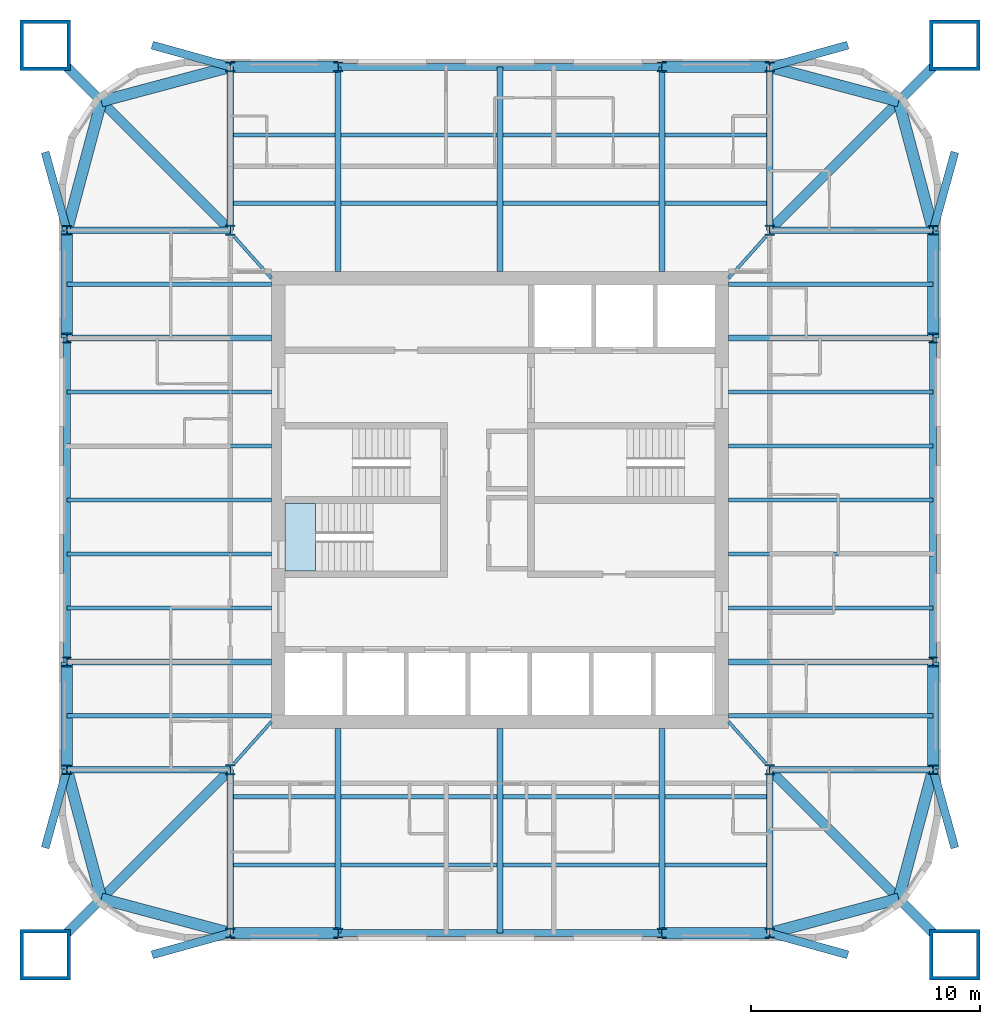
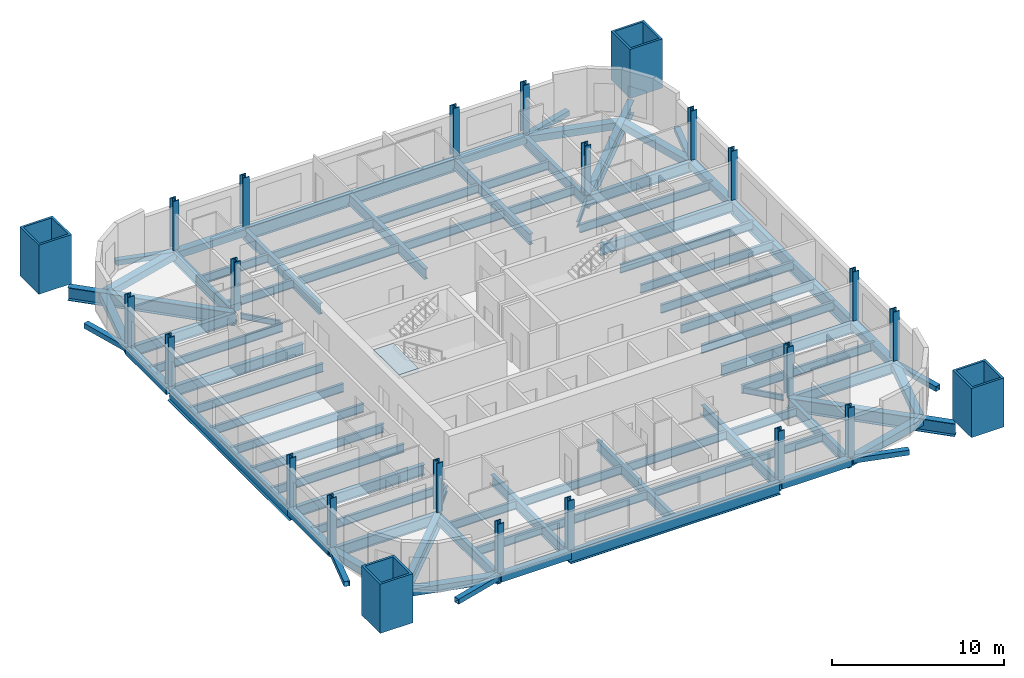
# One storey, part 1 of 8: 84 beams, 24 columns, 1 slab, 1 element without a shape of its own.
"""IFC4 building model written with IfcOpenShell, lengths in metres."""

from ifc_helpers import new_model, si_unit, direction, frame, origin, origin_2d, place, context, subcontext, project, spatial, polyline, hollow_rectangle, i_section, outline, extrude, material, layer, layer_set, material_profile, profile_set, type_object, element, aggregate, save


model = new_model("IFC4")

# Units and contexts
model_context = context("Model", 3, precision=1e-05, world=origin(), true_north=direction((0.0, 1.0)))
body_context = subcontext(model_context, "Body", "Model", "MODEL_VIEW")
ifc_project = project(units=[si_unit("LENGTHUNIT", "METRE"), si_unit("AREAUNIT", "SQUARE_METRE"), si_unit("VOLUMEUNIT", "CUBIC_METRE"), si_unit("PLANEANGLEUNIT", "RADIAN"), si_unit("MASSUNIT", "GRAM", prefix="KILO")], contexts=[model_context])

# Site, building, storey
site_placement = place(None, origin())
site = spatial("IfcSite", under=ifc_project, at=site_placement, CompositionType="ELEMENT")
building_placement = place(site_placement, origin())
building = spatial("IfcBuilding", under=site, at=building_placement, Name="Turquesa Mirador Hotel Tower", CompositionType="ELEMENT")
storey_placement = place(building_placement, frame((0.0, 0.0, 168.800048828125)))
storey = spatial("IfcBuildingStorey", under=building, at=storey_placement, Name="L45", CompositionType="ELEMENT", Elevation=168.800048828125)

# Columns
ifc_material_1 = material(Name="Steel ASTM A992 Grade 50", Category="steel")
ifc_material_profile_1 = material_profile(ifc_material_1, i_section(OverallWidth=0.411376953125, OverallDepth=0.434326171875, WebThickness=0.035888671875, FlangeThickness=0.057373046875, at=origin_2d()), Name="W14X311")
ifc_profile_set_1 = profile_set([ifc_material_profile_1], Name="Steel ASTM A992 Grade 50")
column_type_1 = type_object("IfcColumnType", Name="COLUMN W14X311", PredefinedType="COLUMN", material=ifc_profile_set_1)
for number, where, z_axis, x_axis, name in (
    (1, (36.050048828125, 33.199951171875, 0.0), (0.0, 0.0, 1.0), (1.0, 0.0, 0.0), "COL-L45-P--18.95--11.80"),
    (2, (36.050048828125, 37.919921875, 0.0), (0.0, 0.0, 1.0), (1.0, 0.0, 0.0), "COL-L45-P--18.95--7.08"),
    (3, (36.050048828125, 52.080078125, 0.0), (0.0, 0.0, 1.0), (1.0, 0.0, 0.0), "COL-L45-P--18.95-+7.08"),
    (4, (36.050048828125, 56.800048828125, 0.0), (0.0, 0.0, 1.0), (1.0, 0.0, 0.0), "COL-L45-P--18.95-+11.80"),
    (5, (43.199951171875, 26.050048828125, 0.0), (0.0, 0.0, 1.0), (1.0, 0.0, 0.0), "COL-L45-P--11.80--18.95"),
    (6, (43.199951171875, 63.949951171875, 0.0), (0.0, 0.0, 1.0), (1.0, 0.0, 0.0), "COL-L45-P--11.80-+18.95"),
    (7, (47.919921875, 26.050048828125, 0.0), (0.0, 0.0, 1.0), (1.0, 0.0, 0.0), "COL-L45-P--7.08--18.95"),
    (8, (47.919921875, 63.949951171875, 0.0), (0.0, 0.0, 1.0), (1.0, 0.0, 0.0), "COL-L45-P--7.08-+18.95"),
    (9, (62.080078125, 26.050048828125, 0.0), (0.0, 0.0, 1.0), (1.0, 0.0, 0.0), "COL-L45-P-+7.08--18.95"),
    (10, (62.080078125, 63.949951171875, 0.0), (0.0, 0.0, 1.0), (1.0, 0.0, 0.0), "COL-L45-P-+7.08-+18.95"),
    (11, (66.800048828125, 26.050048828125, 0.0), (0.0, 0.0, 1.0), (1.0, 0.0, 0.0), "COL-L45-P-+11.80--18.95"),
    (12, (66.800048828125, 63.949951171875, 0.0), (0.0, 0.0, 1.0), (1.0, 0.0, 0.0), "COL-L45-P-+11.80-+18.95"),
    (13, (73.949951171875, 33.199951171875, 0.0), (0.0, 0.0, 1.0), (1.0, 0.0, 0.0), "COL-L45-P-+18.95--11.80"),
    (14, (73.949951171875, 37.919921875, 0.0), (0.0, 0.0, 1.0), (1.0, 0.0, 0.0), "COL-L45-P-+18.95--7.08"),
    (15, (73.949951171875, 52.080078125, 0.0), (0.0, 0.0, 1.0), (1.0, 0.0, 0.0), "COL-L45-P-+18.95-+7.08"),
    (16, (73.949951171875, 56.800048828125, 0.0), (0.0, 0.0, 1.0), (1.0, 0.0, 0.0), "COL-L45-P-+18.95-+11.80"),
):
    element("IfcColumn", number, at=place(storey_placement, frame(where, z_axis=z_axis, x_axis=x_axis)), inside=storey, type_object=column_type_1, Name=name, PredefinedType="COLUMN", context=body_context, shape_type="SweptSolid", body=[
        extrude(i_section(OverallWidth=0.411376953125, OverallDepth=0.434326171875, WebThickness=0.035888671875, FlangeThickness=0.057373046875, at=origin_2d()), origin(), (0.0, 0.0, 1.0), 3.5),
    ])
ifc_material_2 = material(Name="Steel ASTM A992 Grade 50", Category="steel")
ifc_material_profile_2 = material_profile(ifc_material_2, i_section(OverallWidth=0.421630859375, OverallDepth=0.46484375, WebThickness=0.044921875, FlangeThickness=0.072509765625, at=origin_2d()), Name="W14X398")
ifc_profile_set_2 = profile_set([ifc_material_profile_2], Name="Steel ASTM A992 Grade 50")
column_type_2 = type_object("IfcColumnType", Name="COLUMN W14X398", PredefinedType="COLUMN", material=ifc_profile_set_2)
for number, where, z_axis, x_axis, name in (
    (17, (43.199951171875, 33.199951171875, 0.0), (0.0, 0.0, 1.0), (1.0, 0.0, 0.0), "COL-L45-K--11.80--11.80"),
    (18, (43.199951171875, 56.800048828125, 0.0), (0.0, 0.0, 1.0), (1.0, 0.0, 0.0), "COL-L45-K--11.80-+11.80"),
    (19, (66.800048828125, 33.199951171875, 0.0), (0.0, 0.0, 1.0), (1.0, 0.0, 0.0), "COL-L45-K-+11.80--11.80"),
    (20, (66.800048828125, 56.800048828125, 0.0), (0.0, 0.0, 1.0), (1.0, 0.0, 0.0), "COL-L45-K-+11.80-+11.80"),
):
    element("IfcColumn", number, at=place(storey_placement, frame(where, z_axis=z_axis, x_axis=x_axis)), inside=storey, type_object=column_type_2, Name=name, PredefinedType="COLUMN", context=body_context, shape_type="SweptSolid", body=[
        extrude(i_section(OverallWidth=0.421630859375, OverallDepth=0.46484375, WebThickness=0.044921875, FlangeThickness=0.072509765625, at=origin_2d()), origin(), (0.0, 0.0, 1.0), 3.5),
    ])
ifc_material_3 = material(Name="Steel ASTM A514 Grade Q", Category="steel")
ifc_material_profile_3 = material_profile(ifc_material_3, hollow_rectangle(XDim=2.199951171875, YDim=2.199951171875, WallThickness=0.14990234375, at=origin_2d()), Name="BOX2200X2200X150")
ifc_profile_set_3 = profile_set([ifc_material_profile_3], Name="Steel ASTM A514 Grade Q")
column_type_3 = type_object("IfcColumnType", Name="MEGA COLUMN BOX2200X2200X150", PredefinedType="COLUMN", material=ifc_profile_set_3)
for number, where, z_axis, x_axis, name in (
    (21, (74.89990234375, 64.89990234375, 0.0), (0.0, 0.0, 1.0), (1.0, 0.0, 0.0), "Mega column M1"),
    (22, (35.10009765625, 64.89990234375, 0.0), (0.0, 0.0, 1.0), (1.0, 0.0, 0.0), "Mega column M2"),
    (23, (35.10009765625, 25.10009765625, 0.0), (0.0, 0.0, 1.0), (1.0, 0.0, 0.0), "Mega column M3"),
    (24, (74.89990234375, 25.10009765625, 0.0), (0.0, 0.0, 1.0), (1.0, 0.0, 0.0), "Mega column M4"),
):
    element("IfcColumn", number, at=place(storey_placement, frame(where, z_axis=z_axis, x_axis=x_axis)), inside=storey, type_object=column_type_3, Name=name, PredefinedType="COLUMN", context=body_context, shape_type="SweptSolid", body=[
        extrude(hollow_rectangle(XDim=2.199951171875, YDim=2.199951171875, WallThickness=0.14990234375, at=origin_2d()), origin(), (0.0, 0.0, 1.0), 3.5),
    ])

# Beams
ifc_material_4 = material(Name="Steel ASTM A572 Grade 50", Category="steel")
ifc_material_profile_4 = material_profile(ifc_material_4, hollow_rectangle(XDim=0.5, YDim=0.5, WallThickness=0.01611328125, at=origin_2d()), Name="BOX500X500X16")
ifc_profile_set_4 = profile_set([ifc_material_profile_4], Name="Steel ASTM A572 Grade 50")
beam_type_1 = type_object("IfcBeamType", Name="BEAM BOX500X500X16", PredefinedType="BEAM", material=ifc_profile_set_4)
for number, where, z_axis, x_axis, name in (
    (25, (43.199951171875, 63.949951171875, -0.420166015625), (1.0, 0.0, 0.0), (0.0, 1.0, 0.0), "EB-L45-N-L"),
    (26, (62.080078125, 63.949951171875, -0.420166015625), (1.0, 0.0, 0.0), (0.0, 1.0, 0.0), "EB-L45-N-R"),
    (27, (43.199951171875, 26.050048828125, -0.420166015625), (1.0, 0.0, 0.0), (0.0, 1.0, 0.0), "EB-L45-S-L"),
    (28, (62.080078125, 26.050048828125, -0.420166015625), (1.0, 0.0, 0.0), (0.0, 1.0, 0.0), "EB-L45-S-R"),
    (29, (73.949951171875, 33.199951171875, -0.420166015625), (0.0, 1.0, 0.0), (-1.0, 0.0, 0.0), "EB-L45-E-L"),
    (30, (73.949951171875, 52.080078125, -0.420166015625), (0.0, 1.0, 0.0), (-1.0, 0.0, 0.0), "EB-L45-E-R"),
    (31, (36.050048828125, 33.199951171875, -0.420166015625), (0.0, 1.0, 0.0), (-1.0, 0.0, 0.0), "EB-L45-W-L"),
    (32, (36.050048828125, 52.080078125, -0.420166015625), (0.0, 1.0, 0.0), (-1.0, 0.0, 0.0), "EB-L45-W-R"),
):
    element("IfcBeam", number, at=place(storey_placement, frame(where, z_axis=z_axis, x_axis=x_axis)), inside=storey, type_object=beam_type_1, Name=name, PredefinedType="BEAM", context=body_context, shape_type="SweptSolid", body=[
        extrude(hollow_rectangle(XDim=0.5, YDim=0.5, WallThickness=0.01611328125, at=origin_2d()), origin(), (0.0, 0.0, 1.0), 4.719970703125),
    ])
for number, where, z_axis, x_axis, name in (
    (33, (73.949951171875, 56.800048828125, -0.420166015625), (-0.258281892145, 0.966069595935, 0.0), (-0.966069595935, -0.258281892145, 0.0), "KE-L45-1-0"),
    (34, (72.441650390625, 62.441650390625, -0.420166015625), (-0.966069595935, 0.258281892145, 0.0), (-0.258281892145, -0.966069595935, 0.0), "KE-L45-1-1"),
    (35, (36.050048828125, 56.800048828125, -0.420166015625), (0.258281892145, 0.966069595935, 0.0), (-0.966069595935, 0.258281892145, 0.0), "KE-L45-2-0"),
    (36, (37.558349609375, 62.441650390625, -0.420166015625), (0.966069595935, 0.258281892145, 0.0), (-0.258281892145, 0.966069595935, 0.0), "KE-L45-2-1"),
    (37, (36.050048828125, 33.199951171875, -0.420166015625), (0.258281892145, -0.966069595935, 0.0), (0.966069595935, 0.258281892145, 0.0), "KE-L45-3-0"),
    (38, (37.558349609375, 27.558349609375, -0.420166015625), (0.966069595935, -0.258281892145, 0.0), (0.258281892145, 0.966069595935, 0.0), "KE-L45-3-1"),
    (39, (73.949951171875, 33.199951171875, -0.420166015625), (-0.258281892145, -0.966069595935, 0.0), (0.966069595935, -0.258281892145, 0.0), "KE-L45-4-0"),
    (40, (72.441650390625, 27.558349609375, -0.420166015625), (-0.966069595935, -0.258281892145, 0.0), (0.258281892145, -0.966069595935, 0.0), "KE-L45-4-1"),
):
    element("IfcBeam", number, at=place(storey_placement, frame(where, z_axis=z_axis, x_axis=x_axis)), inside=storey, type_object=beam_type_1, Name=name, PredefinedType="BEAM", context=body_context, shape_type="SweptSolid", body=[
        extrude(hollow_rectangle(XDim=0.5, YDim=0.5, WallThickness=0.01611328125, at=origin_2d()), origin(), (0.0, 0.0, 1.0), 5.83984375),
    ])
ifc_material_5 = material(Name="Steel ASTM A992 Grade 50", Category="steel")
ifc_material_profile_5 = material_profile(ifc_material_5, i_section(OverallWidth=0.140380859375, OverallDepth=0.40380859375, WebThickness=0.007080078125, FlangeThickness=0.01123046875, at=origin_2d()), Name="W16X31")
ifc_profile_set_5 = profile_set([ifc_material_profile_5], Name="Steel ASTM A992 Grade 50")
beam_type_2 = type_object("IfcBeamType", Name="BEAM W16X31", PredefinedType="BEAM", material=ifc_profile_set_5)
for number, where, z_axis, x_axis, name in (
    (41, (66.634765625, 56.527099609375, -0.3720703125), (-0.666783216266, -0.745251730964, 0.0), (0.745251730964, -0.666783216266, 0.0), "KT-L45-1"),
    (42, (43.365234375, 56.527099609375, -0.3720703125), (0.666783216266, -0.745251730964, 0.0), (0.745251730964, 0.666783216266, 0.0), "KT-L45-2"),
    (43, (43.365234375, 33.472900390625, -0.3720703125), (0.666783216266, 0.745251730964, 0.0), (-0.745251730964, 0.666783216266, 0.0), "KT-L45-3"),
    (44, (66.634765625, 33.472900390625, -0.3720703125), (-0.666783216266, 0.745251730964, 0.0), (-0.745251730964, -0.666783216266, 0.0), "KT-L45-4"),
):
    element("IfcBeam", number, at=place(storey_placement, frame(where, z_axis=z_axis, x_axis=x_axis)), inside=storey, type_object=beam_type_2, Name=name, PredefinedType="BEAM", context=body_context, shape_type="SweptSolid", body=[
        extrude(i_section(OverallWidth=0.140380859375, OverallDepth=0.40380859375, WebThickness=0.007080078125, FlangeThickness=0.01123046875, at=origin_2d()), origin(), (0.0, 0.0, 1.0), 2.45166015625),
    ])
ifc_material_6 = material(Name="Steel ASTM A992 Grade 50", Category="steel")
ifc_material_profile_6 = material_profile(ifc_material_6, i_section(OverallWidth=0.177978515625, OverallDepth=0.599365234375, WebThickness=0.010009765625, FlangeThickness=0.012939453125, at=origin_2d()), Name="W24X55")
ifc_profile_set_6 = profile_set([ifc_material_profile_6], Name="Steel ASTM A992 Grade 50")
beam_type_3 = type_object("IfcBeamType", Name="BEAM W24X55", PredefinedType="BEAM", material=ifc_profile_set_6)
beam_1_placement = place(storey_placement, frame((43.333251953125, 57.98291015625, -0.4697265625), z_axis=(1.0, 0.0, 0.0), x_axis=(0.0, 1.0, 0.0)))
element("IfcBeam", 45, at=beam_1_placement, inside=storey, type_object=beam_type_3, Name="IB-L45-N-1-0", PredefinedType="BEAM", context=body_context, shape_type="SweptSolid", body=[
    extrude(i_section(OverallWidth=0.177978515625, OverallDepth=0.599365234375, WebThickness=0.010009765625, FlangeThickness=0.012939453125, at=origin_2d()), origin(), (0.0, 0.0, 1.0), 4.453369140625),
])
for number, where, z_axis, x_axis, name in (
    (46, (48.053466796875, 57.98291015625, -0.4697265625), (1.0, 0.0, 0.0), (0.0, 1.0, 0.0), "IB-L45-N-1-1"),
    (47, (55.13330078125, 57.98291015625, -0.4697265625), (1.0, 0.0, 0.0), (0.0, 1.0, 0.0), "IB-L45-N-1-2"),
):
    element("IfcBeam", number, at=place(storey_placement, frame(where, z_axis=z_axis, x_axis=x_axis)), inside=storey, type_object=beam_type_3, Name=name, PredefinedType="BEAM", context=body_context, shape_type="SweptSolid", body=[
        extrude(i_section(OverallWidth=0.177978515625, OverallDepth=0.599365234375, WebThickness=0.010009765625, FlangeThickness=0.012939453125, at=origin_2d()), origin(), (0.0, 0.0, 1.0), 6.813232421875),
    ])
for number, where, z_axis, x_axis, name in (
    (48, (62.21337890625, 57.98291015625, -0.4697265625), (1.0, 0.0, 0.0), (0.0, 1.0, 0.0), "IB-L45-N-1-3"),
    (49, (43.333251953125, 60.967041015625, -0.4697265625), (1.0, 0.0, 0.0), (0.0, 1.0, 0.0), "IB-L45-N-2-0"),
):
    element("IfcBeam", number, at=place(storey_placement, frame(where, z_axis=z_axis, x_axis=x_axis)), inside=storey, type_object=beam_type_3, Name=name, PredefinedType="BEAM", context=body_context, shape_type="SweptSolid", body=[
        extrude(i_section(OverallWidth=0.177978515625, OverallDepth=0.599365234375, WebThickness=0.010009765625, FlangeThickness=0.012939453125, at=origin_2d()), origin(), (0.0, 0.0, 1.0), 4.453369140625),
    ])
for number, where, z_axis, x_axis, name in (
    (50, (48.053466796875, 60.967041015625, -0.4697265625), (1.0, 0.0, 0.0), (0.0, 1.0, 0.0), "IB-L45-N-2-1"),
    (51, (55.13330078125, 60.967041015625, -0.4697265625), (1.0, 0.0, 0.0), (0.0, 1.0, 0.0), "IB-L45-N-2-2"),
):
    element("IfcBeam", number, at=place(storey_placement, frame(where, z_axis=z_axis, x_axis=x_axis)), inside=storey, type_object=beam_type_3, Name=name, PredefinedType="BEAM", context=body_context, shape_type="SweptSolid", body=[
        extrude(i_section(OverallWidth=0.177978515625, OverallDepth=0.599365234375, WebThickness=0.010009765625, FlangeThickness=0.012939453125, at=origin_2d()), origin(), (0.0, 0.0, 1.0), 6.813232421875),
    ])
for number, where, z_axis, x_axis, name in (
    (52, (62.21337890625, 60.967041015625, -0.4697265625), (1.0, 0.0, 0.0), (0.0, 1.0, 0.0), "IB-L45-N-2-3"),
    (53, (43.333251953125, 32.01708984375, -0.4697265625), (1.0, 0.0, 0.0), (0.0, 1.0, 0.0), "IB-L45-S-1-0"),
):
    element("IfcBeam", number, at=place(storey_placement, frame(where, z_axis=z_axis, x_axis=x_axis)), inside=storey, type_object=beam_type_3, Name=name, PredefinedType="BEAM", context=body_context, shape_type="SweptSolid", body=[
        extrude(i_section(OverallWidth=0.177978515625, OverallDepth=0.599365234375, WebThickness=0.010009765625, FlangeThickness=0.012939453125, at=origin_2d()), origin(), (0.0, 0.0, 1.0), 4.453369140625),
    ])
for number, where, z_axis, x_axis, name in (
    (54, (48.053466796875, 32.01708984375, -0.4697265625), (1.0, 0.0, 0.0), (0.0, 1.0, 0.0), "IB-L45-S-1-1"),
    (55, (55.13330078125, 32.01708984375, -0.4697265625), (1.0, 0.0, 0.0), (0.0, 1.0, 0.0), "IB-L45-S-1-2"),
):
    element("IfcBeam", number, at=place(storey_placement, frame(where, z_axis=z_axis, x_axis=x_axis)), inside=storey, type_object=beam_type_3, Name=name, PredefinedType="BEAM", context=body_context, shape_type="SweptSolid", body=[
        extrude(i_section(OverallWidth=0.177978515625, OverallDepth=0.599365234375, WebThickness=0.010009765625, FlangeThickness=0.012939453125, at=origin_2d()), origin(), (0.0, 0.0, 1.0), 6.813232421875),
    ])
for number, where, z_axis, x_axis, name in (
    (56, (62.21337890625, 32.01708984375, -0.4697265625), (1.0, 0.0, 0.0), (0.0, 1.0, 0.0), "IB-L45-S-1-3"),
    (57, (43.333251953125, 29.032958984375, -0.4697265625), (1.0, 0.0, 0.0), (0.0, 1.0, 0.0), "IB-L45-S-2-0"),
):
    element("IfcBeam", number, at=place(storey_placement, frame(where, z_axis=z_axis, x_axis=x_axis)), inside=storey, type_object=beam_type_3, Name=name, PredefinedType="BEAM", context=body_context, shape_type="SweptSolid", body=[
        extrude(i_section(OverallWidth=0.177978515625, OverallDepth=0.599365234375, WebThickness=0.010009765625, FlangeThickness=0.012939453125, at=origin_2d()), origin(), (0.0, 0.0, 1.0), 4.453369140625),
    ])
for number, where, z_axis, x_axis, name in (
    (58, (48.053466796875, 29.032958984375, -0.4697265625), (1.0, 0.0, 0.0), (0.0, 1.0, 0.0), "IB-L45-S-2-1"),
    (59, (55.13330078125, 29.032958984375, -0.4697265625), (1.0, 0.0, 0.0), (0.0, 1.0, 0.0), "IB-L45-S-2-2"),
):
    element("IfcBeam", number, at=place(storey_placement, frame(where, z_axis=z_axis, x_axis=x_axis)), inside=storey, type_object=beam_type_3, Name=name, PredefinedType="BEAM", context=body_context, shape_type="SweptSolid", body=[
        extrude(i_section(OverallWidth=0.177978515625, OverallDepth=0.599365234375, WebThickness=0.010009765625, FlangeThickness=0.012939453125, at=origin_2d()), origin(), (0.0, 0.0, 1.0), 6.813232421875),
    ])
beam_2_placement = place(storey_placement, frame((62.21337890625, 29.032958984375, -0.4697265625), z_axis=(1.0, 0.0, 0.0), x_axis=(0.0, 1.0, 0.0)))
element("IfcBeam", 60, at=beam_2_placement, inside=storey, type_object=beam_type_3, Name="IB-L45-S-2-3", PredefinedType="BEAM", context=body_context, shape_type="SweptSolid", body=[
    extrude(i_section(OverallWidth=0.177978515625, OverallDepth=0.599365234375, WebThickness=0.010009765625, FlangeThickness=0.012939453125, at=origin_2d()), origin(), (0.0, 0.0, 1.0), 4.453369140625),
])
for number, where, z_axis, x_axis, name in (
    (61, (73.949951171875, 35.56005859375, -0.4697265625), (-1.0, 0.0, 0.0), (0.0, -1.0, 0.0), "BM-L45-E--9.44"),
    (62, (73.949951171875, 40.280029296875, -0.4697265625), (-1.0, 0.0, 0.0), (0.0, -1.0, 0.0), "BM-L45-E--4.72"),
    (63, (73.949951171875, 42.639892578125, -0.4697265625), (-1.0, 0.0, 0.0), (0.0, -1.0, 0.0), "BM-L45-E--2.36"),
    (64, (73.949951171875, 45.0, -0.4697265625), (-1.0, 0.0, 0.0), (0.0, -1.0, 0.0), "BM-L45-E-+0.00"),
    (65, (73.949951171875, 47.360107421875, -0.4697265625), (-1.0, 0.0, 0.0), (0.0, -1.0, 0.0), "BM-L45-E-+2.36"),
    (66, (73.949951171875, 49.719970703125, -0.4697265625), (-1.0, 0.0, 0.0), (0.0, -1.0, 0.0), "BM-L45-E-+4.72"),
    (67, (73.949951171875, 54.43994140625, -0.4697265625), (-1.0, 0.0, 0.0), (0.0, -1.0, 0.0), "BM-L45-E-+9.44"),
    (68, (36.050048828125, 35.56005859375, -0.4697265625), (1.0, 0.0, 0.0), (0.0, 1.0, 0.0), "BM-L45-W--9.44"),
    (69, (36.050048828125, 40.280029296875, -0.4697265625), (1.0, 0.0, 0.0), (0.0, 1.0, 0.0), "BM-L45-W--4.72"),
    (70, (36.050048828125, 42.639892578125, -0.4697265625), (1.0, 0.0, 0.0), (0.0, 1.0, 0.0), "BM-L45-W--2.36"),
    (71, (36.050048828125, 45.0, -0.4697265625), (1.0, 0.0, 0.0), (0.0, 1.0, 0.0), "BM-L45-W-+0.00"),
    (72, (36.050048828125, 47.360107421875, -0.4697265625), (1.0, 0.0, 0.0), (0.0, 1.0, 0.0), "BM-L45-W-+2.36"),
    (73, (36.050048828125, 49.719970703125, -0.4697265625), (1.0, 0.0, 0.0), (0.0, 1.0, 0.0), "BM-L45-W-+4.72"),
    (74, (36.050048828125, 54.43994140625, -0.4697265625), (1.0, 0.0, 0.0), (0.0, 1.0, 0.0), "BM-L45-W-+9.44"),
):
    element("IfcBeam", number, at=place(storey_placement, frame(where, z_axis=z_axis, x_axis=x_axis)), inside=storey, type_object=beam_type_3, Name=name, PredefinedType="BEAM", context=body_context, shape_type="SweptSolid", body=[
        extrude(i_section(OverallWidth=0.177978515625, OverallDepth=0.599365234375, WebThickness=0.010009765625, FlangeThickness=0.012939453125, at=origin_2d()), origin(), (0.0, 0.0, 1.0), 8.949951171875),
    ])
ifc_material_7 = material(Name="Steel ASTM A992 Grade 50", Category="steel")
ifc_material_profile_7 = material_profile(ifc_material_7, i_section(OverallWidth=0.2666015625, OverallDepth=0.7568359375, WebThickness=0.013916015625, FlangeThickness=0.019287109375, at=origin_2d()), Name="W30X108")
ifc_profile_set_7 = profile_set([ifc_material_profile_7], Name="Steel ASTM A992 Grade 50")
beam_type_4 = type_object("IfcBeamType", Name="BEAM W30X108", PredefinedType="BEAM", material=ifc_profile_set_7)
for number, where, z_axis, x_axis, name in (
    (75, (47.919921875, 63.949951171875, -0.548583984375), (0.0, -1.0, 0.0), (1.0, 0.0, 0.0), "GD-L45-N--7.08"),
    (76, (62.080078125, 63.949951171875, -0.548583984375), (0.0, -1.0, 0.0), (1.0, 0.0, 0.0), "GD-L45-N-+7.08"),
    (77, (55.0, 63.949951171875, -0.548583984375), (0.0, -1.0, 0.0), (1.0, 0.0, 0.0), "GD-L45-N-+0.00"),
):
    element("IfcBeam", number, at=place(storey_placement, frame(where, z_axis=z_axis, x_axis=x_axis)), inside=storey, type_object=beam_type_4, Name=name, PredefinedType="BEAM", context=body_context, shape_type="SweptSolid", body=[
        extrude(i_section(OverallWidth=0.2666015625, OverallDepth=0.7568359375, WebThickness=0.013916015625, FlangeThickness=0.019287109375, at=origin_2d()), origin(), (0.0, 0.0, 1.0), 8.949951171875),
    ])
for number, where, z_axis, x_axis, name in (
    (78, (43.199951171875, 63.949951171875, -0.548583984375), (0.0, -1.0, 0.0), (1.0, 0.0, 0.0), "GK-L45-N--11.80"),
    (79, (66.800048828125, 63.949951171875, -0.548583984375), (0.0, -1.0, 0.0), (1.0, 0.0, 0.0), "GK-L45-N-+11.80"),
):
    element("IfcBeam", number, at=place(storey_placement, frame(where, z_axis=z_axis, x_axis=x_axis)), inside=storey, type_object=beam_type_4, Name=name, PredefinedType="BEAM", context=body_context, shape_type="SweptSolid", body=[
        extrude(i_section(OverallWidth=0.2666015625, OverallDepth=0.7568359375, WebThickness=0.013916015625, FlangeThickness=0.019287109375, at=origin_2d()), origin(), (0.0, 0.0, 1.0), 7.14990234375),
    ])
for number, where, z_axis, x_axis, name in (
    (80, (47.919921875, 26.050048828125, -0.548583984375), (0.0, 1.0, 0.0), (-1.0, 0.0, 0.0), "GD-L45-S--7.08"),
    (81, (62.080078125, 26.050048828125, -0.548583984375), (0.0, 1.0, 0.0), (-1.0, 0.0, 0.0), "GD-L45-S-+7.08"),
    (82, (55.0, 26.050048828125, -0.548583984375), (0.0, 1.0, 0.0), (-1.0, 0.0, 0.0), "GD-L45-S-+0.00"),
):
    element("IfcBeam", number, at=place(storey_placement, frame(where, z_axis=z_axis, x_axis=x_axis)), inside=storey, type_object=beam_type_4, Name=name, PredefinedType="BEAM", context=body_context, shape_type="SweptSolid", body=[
        extrude(i_section(OverallWidth=0.2666015625, OverallDepth=0.7568359375, WebThickness=0.013916015625, FlangeThickness=0.019287109375, at=origin_2d()), origin(), (0.0, 0.0, 1.0), 8.949951171875),
    ])
for number, where, z_axis, x_axis, name in (
    (83, (43.199951171875, 26.050048828125, -0.548583984375), (0.0, 1.0, 0.0), (-1.0, 0.0, 0.0), "GK-L45-S--11.80"),
    (84, (66.800048828125, 26.050048828125, -0.548583984375), (0.0, 1.0, 0.0), (-1.0, 0.0, 0.0), "GK-L45-S-+11.80"),
):
    element("IfcBeam", number, at=place(storey_placement, frame(where, z_axis=z_axis, x_axis=x_axis)), inside=storey, type_object=beam_type_4, Name=name, PredefinedType="BEAM", context=body_context, shape_type="SweptSolid", body=[
        extrude(i_section(OverallWidth=0.2666015625, OverallDepth=0.7568359375, WebThickness=0.013916015625, FlangeThickness=0.019287109375, at=origin_2d()), origin(), (0.0, 0.0, 1.0), 7.14990234375),
    ])
for number, where, z_axis, x_axis, name in (
    (85, (73.949951171875, 37.919921875, -0.548583984375), (-1.0, 0.0, 0.0), (0.0, -1.0, 0.0), "GD-L45-E--7.08"),
    (86, (73.949951171875, 52.080078125, -0.548583984375), (-1.0, 0.0, 0.0), (0.0, -1.0, 0.0), "GD-L45-E-+7.08"),
):
    element("IfcBeam", number, at=place(storey_placement, frame(where, z_axis=z_axis, x_axis=x_axis)), inside=storey, type_object=beam_type_4, Name=name, PredefinedType="BEAM", context=body_context, shape_type="SweptSolid", body=[
        extrude(i_section(OverallWidth=0.2666015625, OverallDepth=0.7568359375, WebThickness=0.013916015625, FlangeThickness=0.019287109375, at=origin_2d()), origin(), (0.0, 0.0, 1.0), 8.949951171875),
    ])
for number, where, z_axis, x_axis, name in (
    (87, (73.949951171875, 33.199951171875, -0.548583984375), (-1.0, 0.0, 0.0), (0.0, -1.0, 0.0), "GK-L45-E--11.80"),
    (88, (73.949951171875, 56.800048828125, -0.548583984375), (-1.0, 0.0, 0.0), (0.0, -1.0, 0.0), "GK-L45-E-+11.80"),
):
    element("IfcBeam", number, at=place(storey_placement, frame(where, z_axis=z_axis, x_axis=x_axis)), inside=storey, type_object=beam_type_4, Name=name, PredefinedType="BEAM", context=body_context, shape_type="SweptSolid", body=[
        extrude(i_section(OverallWidth=0.2666015625, OverallDepth=0.7568359375, WebThickness=0.013916015625, FlangeThickness=0.019287109375, at=origin_2d()), origin(), (0.0, 0.0, 1.0), 7.14990234375),
    ])
for number, where, z_axis, x_axis, name in (
    (89, (36.050048828125, 37.919921875, -0.548583984375), (1.0, 0.0, 0.0), (0.0, 1.0, 0.0), "GD-L45-W--7.08"),
    (90, (36.050048828125, 52.080078125, -0.548583984375), (1.0, 0.0, 0.0), (0.0, 1.0, 0.0), "GD-L45-W-+7.08"),
):
    element("IfcBeam", number, at=place(storey_placement, frame(where, z_axis=z_axis, x_axis=x_axis)), inside=storey, type_object=beam_type_4, Name=name, PredefinedType="BEAM", context=body_context, shape_type="SweptSolid", body=[
        extrude(i_section(OverallWidth=0.2666015625, OverallDepth=0.7568359375, WebThickness=0.013916015625, FlangeThickness=0.019287109375, at=origin_2d()), origin(), (0.0, 0.0, 1.0), 8.949951171875),
    ])
for number, where, z_axis, x_axis, name in (
    (91, (36.050048828125, 33.199951171875, -0.548583984375), (1.0, 0.0, 0.0), (0.0, 1.0, 0.0), "GK-L45-W--11.80"),
    (92, (36.050048828125, 56.800048828125, -0.548583984375), (1.0, 0.0, 0.0), (0.0, 1.0, 0.0), "GK-L45-W-+11.80"),
):
    element("IfcBeam", number, at=place(storey_placement, frame(where, z_axis=z_axis, x_axis=x_axis)), inside=storey, type_object=beam_type_4, Name=name, PredefinedType="BEAM", context=body_context, shape_type="SweptSolid", body=[
        extrude(i_section(OverallWidth=0.2666015625, OverallDepth=0.7568359375, WebThickness=0.013916015625, FlangeThickness=0.019287109375, at=origin_2d()), origin(), (0.0, 0.0, 1.0), 7.14990234375),
    ])
ifc_material_8 = material(Name="Steel ASTM A992 Grade 50", Category="steel")
ifc_material_profile_8 = material_profile(ifc_material_8, i_section(OverallWidth=0.3046875, OverallDepth=0.911865234375, WebThickness=0.015869140625, FlangeThickness=0.02392578125, at=origin_2d()), Name="W36X150")
ifc_profile_set_8 = profile_set([ifc_material_profile_8], Name="Steel ASTM A992 Grade 50")
beam_type_5 = type_object("IfcBeamType", Name="BEAM W36X150", PredefinedType="BEAM", material=ifc_profile_set_8)
for number, where, z_axis, x_axis, name in (
    (93, (47.919921875, 63.949951171875, -0.6259765625), (1.0, 0.0, 0.0), (0.0, 1.0, 0.0), "EB-L45-N-C"),
    (94, (47.919921875, 26.050048828125, -0.6259765625), (1.0, 0.0, 0.0), (0.0, 1.0, 0.0), "EB-L45-S-C"),
    (95, (73.949951171875, 37.919921875, -0.6259765625), (0.0, 1.0, 0.0), (-1.0, 0.0, 0.0), "EB-L45-E-C"),
    (96, (36.050048828125, 37.919921875, -0.6259765625), (0.0, 1.0, 0.0), (-1.0, 0.0, 0.0), "EB-L45-W-C"),
):
    element("IfcBeam", number, at=place(storey_placement, frame(where, z_axis=z_axis, x_axis=x_axis)), inside=storey, type_object=beam_type_5, Name=name, PredefinedType="BEAM", context=body_context, shape_type="SweptSolid", body=[
        extrude(i_section(OverallWidth=0.3046875, OverallDepth=0.911865234375, WebThickness=0.015869140625, FlangeThickness=0.02392578125, at=origin_2d()), origin(), (0.0, 0.0, 1.0), 14.16015625),
    ])
ifc_material_9 = material(Name="Steel ASTM A992 Grade 50", Category="steel")
ifc_material_profile_9 = material_profile(ifc_material_9, i_section(OverallWidth=0.419189453125, OverallDepth=0.927001953125, WebThickness=0.019287109375, FlangeThickness=0.031982421875, at=origin_2d()), Name="W36X231")
ifc_profile_set_9 = profile_set([ifc_material_profile_9], Name="Steel ASTM A992 Grade 50")
beam_type_6 = type_object("IfcBeamType", Name="BEAM W36X231", PredefinedType="BEAM", material=ifc_profile_set_9)
for number, where, z_axis, x_axis, name in (
    (97, (66.800048828125, 56.800048828125, -0.633544921875), (0.707106781187, 0.707106781187, 0.0), (-0.707106781187, 0.707106781187, 0.0), "KD-L45-1"),
    (98, (43.199951171875, 56.800048828125, -0.633544921875), (-0.707106781187, 0.707106781187, 0.0), (-0.707106781187, -0.707106781187, 0.0), "KD-L45-2"),
    (99, (43.199951171875, 33.199951171875, -0.633544921875), (-0.707106781187, -0.707106781187, 0.0), (0.707106781187, -0.707106781187, 0.0), "KD-L45-3"),
    (100, (66.800048828125, 33.199951171875, -0.633544921875), (0.707106781187, -0.707106781187, 0.0), (0.707106781187, 0.707106781187, 0.0), "KD-L45-4"),
):
    element("IfcBeam", number, at=place(storey_placement, frame(where, z_axis=z_axis, x_axis=x_axis)), inside=storey, type_object=beam_type_6, Name=name, PredefinedType="BEAM", context=body_context, shape_type="SweptSolid", body=[
        extrude(i_section(OverallWidth=0.419189453125, OverallDepth=0.927001953125, WebThickness=0.019287109375, FlangeThickness=0.031982421875, at=origin_2d()), origin(), (0.0, 0.0, 1.0), 10.080322265625),
    ])
ifc_material_10 = material(Name="Steel ASTM A500 Grade C", Category="steel")
ifc_material_profile_10 = material_profile(ifc_material_10, hollow_rectangle(XDim=0.355712890625, YDim=0.355712890625, WallThickness=0.0146484375, at=origin_2d()), Name="HSS14X14X5/8")
ifc_profile_set_10 = profile_set([ifc_material_profile_10], Name="Steel ASTM A500 Grade C")
beam_type_7 = type_object("IfcBeamType", Name="BRACE STRUT HSS14X14X5/8", PredefinedType="BEAM", material=ifc_profile_set_10)
for number, where, z_axis, x_axis, name in (
    (101, (39.782470703125, 64.89990234375, -0.347900390625), (0.96347056219, -0.267814256142, 0.0), (0.267814256142, 0.96347056219, 0.0), "Brace strut"),
    (102, (70.217529296875, 64.89990234375, -0.347900390625), (-0.96347056219, -0.267814256142, 0.0), (0.267814256142, -0.96347056219, 0.0), "Brace strut"),
    (103, (39.782470703125, 25.10009765625, -0.347900390625), (0.96347056219, 0.267814256142, 0.0), (-0.267814256142, 0.96347056219, 0.0), "Brace strut"),
    (104, (70.217529296875, 25.10009765625, -0.347900390625), (-0.96347056219, 0.267814256142, 0.0), (-0.267814256142, -0.96347056219, 0.0), "Brace strut"),
    (105, (74.89990234375, 29.782470703125, -0.347900390625), (-0.267814256142, 0.96347056219, 0.0), (-0.96347056219, -0.267814256142, 0.0), "Brace strut"),
    (106, (74.89990234375, 60.217529296875, -0.347900390625), (-0.267814256142, -0.96347056219, 0.0), (0.96347056219, -0.267814256142, 0.0), "Brace strut"),
    (107, (35.10009765625, 29.782470703125, -0.347900390625), (0.267814256142, 0.96347056219, 0.0), (-0.96347056219, 0.267814256142, 0.0), "Brace strut"),
    (108, (35.10009765625, 60.217529296875, -0.347900390625), (0.267814256142, -0.96347056219, 0.0), (0.96347056219, 0.267814256142, 0.0), "Brace strut"),
):
    element("IfcBeam", number, at=place(storey_placement, frame(where, z_axis=z_axis, x_axis=x_axis)), inside=storey, type_object=beam_type_7, Name=name, PredefinedType="BEAM", context=body_context, shape_type="SweptSolid", body=[
        extrude(hollow_rectangle(XDim=0.355712890625, YDim=0.355712890625, WallThickness=0.0146484375, at=origin_2d()), origin(), (0.0, 0.0, 1.0), 3.547119140625),
    ])

# Stair, slab
ifc_material_11 = material(Name="Concrete C35/45", Category="concrete")
stair_type = type_object("IfcStairType", Name="ESCAPE STAIR CORE", PredefinedType="HALF_TURN_STAIR", material=ifc_material_11)
stair_placement = place(storey_placement, origin())
stair = element("IfcStair", 109, at=stair_placement, inside=storey, type_object=stair_type, Name="Stair ST2 L45 to L46", PredefinedType="HALF_TURN_STAIR")
ifc_material_12 = material(Name="Concrete C35/45", Category="concrete")
ifc_layer = layer(ifc_material_12, 0.300048828125)
ifc_layer_set = layer_set([ifc_layer], Name="STAIR LANDING 300")
slab_type = type_object("IfcSlabType", Name="STAIR LANDING 300", PredefinedType="LANDING", material=ifc_layer_set)
slab_placement = place(storey_placement, frame((0.0, 0.0, 3.199951171875)))
slab = element("IfcSlab", 110, at=slab_placement, type_object=slab_type, Name="ST2 landing 2", PredefinedType="LANDING", context=body_context, shape_type="SweptSolid", body=[
    extrude(outline(polyline([(46.929931640625, 44.85009765625), (45.60009765625, 44.85009765625), (45.60009765625, 41.89990234375), (46.929931640625, 41.89990234375), (46.929931640625, 44.85009765625)])), origin(), (0.0, 0.0, 1.0), 0.300048828125),
])
aggregate(stair, [slab])

save(model, "model.ifc")
